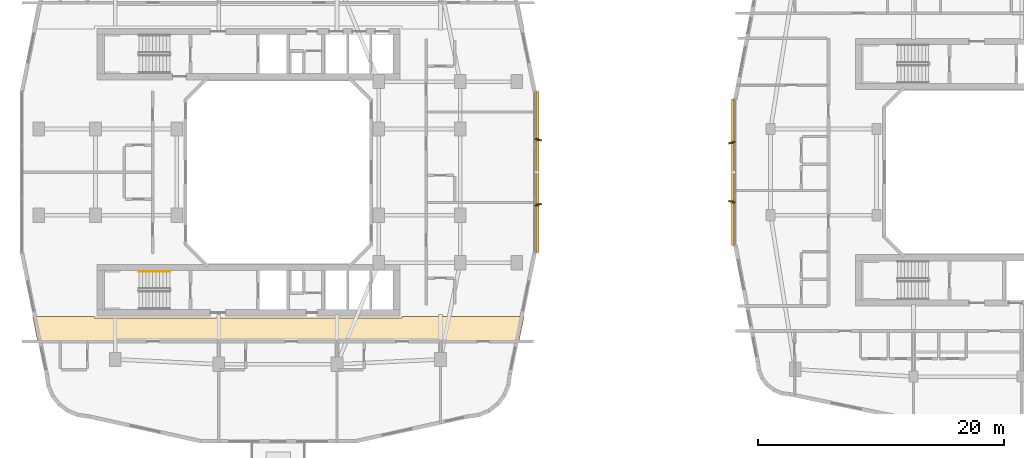
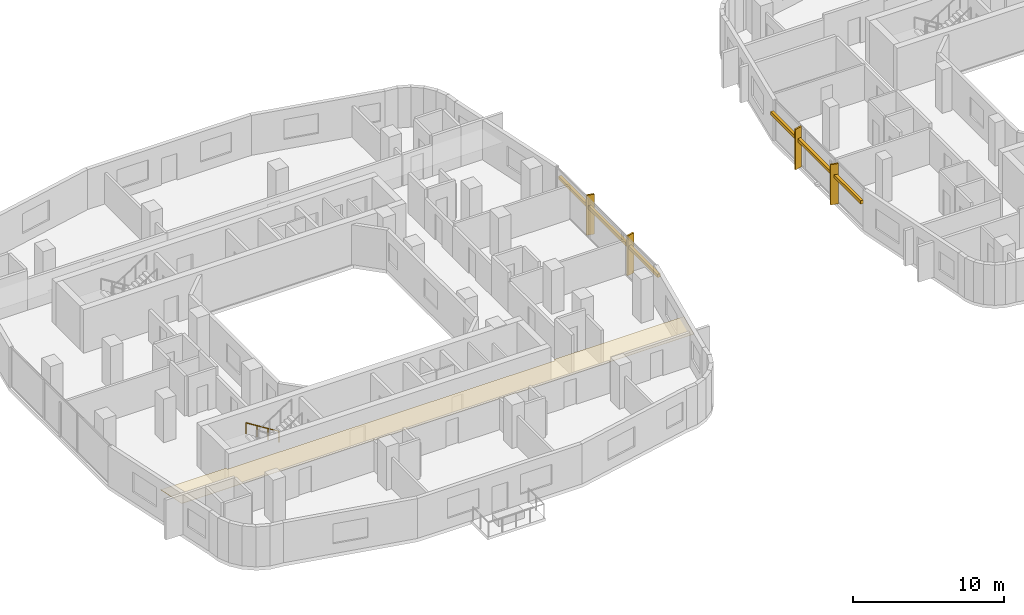
# One storey, part 19 of 22: 6 shading devices, 1 covering, 1 railing.
"""IFC4 building model written with IfcOpenShell, lengths in metres."""

from ifc_helpers import new_model, si_unit, derived_unit, direction, frame, origin, origin_2d, place, context, subcontext, project, spatial, polyline, rectangle, circle, outline, extrude, material, layer, layer_set, type_object, element, save


model = new_model("IFC4")

# Units and contexts
model_context = context("Model", 3, precision=1e-05, world=origin(), true_north=direction((0.0, 1.0)))
body_context = subcontext(model_context, "Body", "Model", "MODEL_VIEW")
ifc_project = project(units=[si_unit("LENGTHUNIT", "METRE"), si_unit("AREAUNIT", "SQUARE_METRE"), si_unit("VOLUMEUNIT", "CUBIC_METRE"), si_unit("PLANEANGLEUNIT", "RADIAN"), si_unit("MASSUNIT", "GRAM", prefix="KILO"), derived_unit("THERMALTRANSMITTANCEUNIT", [(si_unit("POWERUNIT", "WATT"), 1), (si_unit("LENGTHUNIT", "METRE"), -2), (si_unit("THERMODYNAMICTEMPERATUREUNIT", "KELVIN"), -1)])], contexts=[model_context])

# Site, building, storey
site_placement = place(None, origin())
site = spatial("IfcSite", under=ifc_project, at=site_placement, CompositionType="ELEMENT")
building_placement = place(site_placement, origin())
building = spatial("IfcBuilding", under=site, at=building_placement, Name="Kivonza Crest Hotel", CompositionType="ELEMENT")
storey_placement = place(building_placement, frame((0.0, 0.0, 59.0)))
storey = spatial("IfcBuildingStorey", under=building, at=storey_placement, Name="L15", CompositionType="ELEMENT", Elevation=59.0)

# Covering
ifc_material_1 = material(Name="Mineral-fibre acoustic ceiling tile", Category="gypsum")
ifc_layer = layer(ifc_material_1, 0.02490234375)
ifc_layer_set = layer_set([ifc_layer], Name="Mineral-fibre acoustic ceiling tile")
covering_type = type_object("IfcCoveringType", Name="CV-CEIL-ACOU", PredefinedType="CEILING", material=ifc_layer_set)
covering_placement = place(storey_placement, frame((0.0, 0.0, 2.449951171875)))
element("IfcCovering", 1, at=covering_placement, inside=storey, type_object=covering_type, Name="L15 Hotel South Guest Corridor suspended ceiling", PredefinedType="CEILING", context=body_context, shape_type="SweptSolid", body=[
    extrude(outline(polyline([(40.573974609375, 11.2099609375), (40.998046875, 13.2900390625), (31.10009765625, 13.2900390625), (31.10009765625, 13.139892578125), (6.10009765625, 13.139892578125), (6.10009765625, 13.2900390625), (1.08203125, 13.2900390625), (1.506103515625, 11.2099609375), (40.573974609375, 11.2099609375)])), origin(), (0.0, 0.0, 1.0), 0.025146484375),
])

# Railing
ifc_material_2 = material(Name="Brushed stainless steel handrail", Category="steel")
railing_type = type_object("IfcRailingType", Name="RL-HAND-900", PredefinedType="HANDRAIL", material=ifc_material_2)
railing_placement = place(storey_placement, frame((12.239990234375, 16.949951171875, 0.175048828125)))
element("IfcRailing", 2, at=railing_placement, inside=storey, type_object=railing_type, Name="L15 ST-T1-S stair handrail 1", PredefinedType="HANDRAIL", context=body_context, shape_type="SweptSolid", body=[
    extrude(circle(Radius=0.02392578125, at=origin_2d()), frame((0.0, 0.0, 0.8759765625), z_axis=(-0.848007534815, 0.0, 0.529984170421), x_axis=(0.0, -1.0, 0.0)), (0.0, 0.0, 1.0), 2.9716796875),
    extrude(circle(Radius=0.02099609375, at=origin_2d()), origin(), (0.0, 0.0, 1.0), 0.851806640625),
    extrude(circle(Radius=0.02099609375, at=origin_2d()), frame((-0.840087890625, 0.0, 0.52490234375)), (0.0, 0.0, 1.0), 0.851806640625),
    extrude(circle(Radius=0.02099609375, at=origin_2d()), frame((-1.679931640625, 0.0, 1.050048828125)), (0.0, 0.0, 1.0), 0.851806640625),
    extrude(circle(Radius=0.02099609375, at=origin_2d()), frame((-2.52001953125, 0.0, 1.574951171875)), (0.0, 0.0, 1.0), 0.851806640625),
])

# Shading devices
ifc_material_3 = material(Name="Kiln-fired Nairobi red-ochre terracotta", Category="masonry")
shading_device_type_1 = type_object("IfcShadingDeviceType", Name="SH-BAGUETTE-300", PredefinedType="USERDEFINED", material=ifc_material_3)
shading_device_1_placement = place(storey_placement, frame((42.080078125, 25.0, 2.1240234375), z_axis=(0.0, 0.0, 1.0), x_axis=(0.0, 1.0, 0.0)))
element("IfcShadingDevice", 3, at=shading_device_1_placement, inside=storey, type_object=shading_device_type_1, Name="L15 terracotta baguette screen CW-T1-L15-17", ObjectType="BAGUETTE", PredefinedType="USERDEFINED", context=body_context, shape_type="SweptSolid", body=[
    extrude(rectangle(XDim=13.080078125, YDim=0.219970703125, at=origin_2d()), origin(), (0.0, 0.0, 1.0), 0.260009765625),
])
shading_device_2_placement = place(storey_placement, frame((57.919921875, 25.0, 2.14501953125), z_axis=(0.0, 0.0, 1.0), x_axis=(0.0, -1.0, 0.0)))
element("IfcShadingDevice", 4, at=shading_device_2_placement, inside=storey, type_object=shading_device_type_1, Name="L15 terracotta baguette screen CW-T2-L15-35", ObjectType="BAGUETTE", PredefinedType="USERDEFINED", context=body_context, shape_type="SweptSolid", body=[
    extrude(rectangle(XDim=11.8798828125, YDim=0.219970703125, at=origin_2d()), origin(), (0.0, 0.0, 1.0), 0.260009765625),
])
ifc_material_4 = material(Name="Kiln-fired terracotta over extruded aluminium spine", Category="masonry")
shading_device_type_2 = type_object("IfcShadingDeviceType", Name="SH-FIN-550", PredefinedType="USERDEFINED", material=ifc_material_4)
for number, where, z_axis, x_axis, name in (
    (5, (42.139892578125, 22.360107421875, 0.0), (0.0, 0.0, 1.0), (-0.2419218956, 0.970295726276, 0.0), "L15 vertical solar shading fin CW-T1-L15-17-1"),
    (6, (42.139892578125, 27.639892578125, 0.0), (0.0, 0.0, 1.0), (0.2419218956, 0.970295726276, 0.0), "L15 vertical solar shading fin CW-T1-L15-17-2"),
):
    element("IfcShadingDevice", number, at=place(storey_placement, frame(where, z_axis=z_axis, x_axis=x_axis)), inside=storey, type_object=shading_device_type_2, Name=name, ObjectType="FIN", PredefinedType="USERDEFINED", context=body_context, shape_type="SweptSolid", body=[
        extrude(rectangle(XDim=0.1201171875, YDim=0.550048828125, at=origin_2d()), origin(), (0.0, 0.0, 1.0), 3.219970703125),
    ])
for number, where, z_axis, x_axis, name in (
    (7, (57.860107421875, 27.39990234375, 0.0), (0.0, 0.0, 1.0), (0.2419218956, -0.970295726276, 0.0), "L15 vertical solar shading fin CW-T2-L15-35-1"),
    (8, (57.860107421875, 22.60009765625, 0.0), (0.0, 0.0, 1.0), (-0.2419218956, -0.970295726276, 0.0), "L15 vertical solar shading fin CW-T2-L15-35-2"),
):
    element("IfcShadingDevice", number, at=place(storey_placement, frame(where, z_axis=z_axis, x_axis=x_axis)), inside=storey, type_object=shading_device_type_2, Name=name, ObjectType="FIN", PredefinedType="USERDEFINED", context=body_context, shape_type="SweptSolid", body=[
        extrude(rectangle(XDim=0.1201171875, YDim=0.550048828125, at=origin_2d()), origin(), (0.0, 0.0, 1.0), 3.25),
    ])

save(model, "model.ifc")
